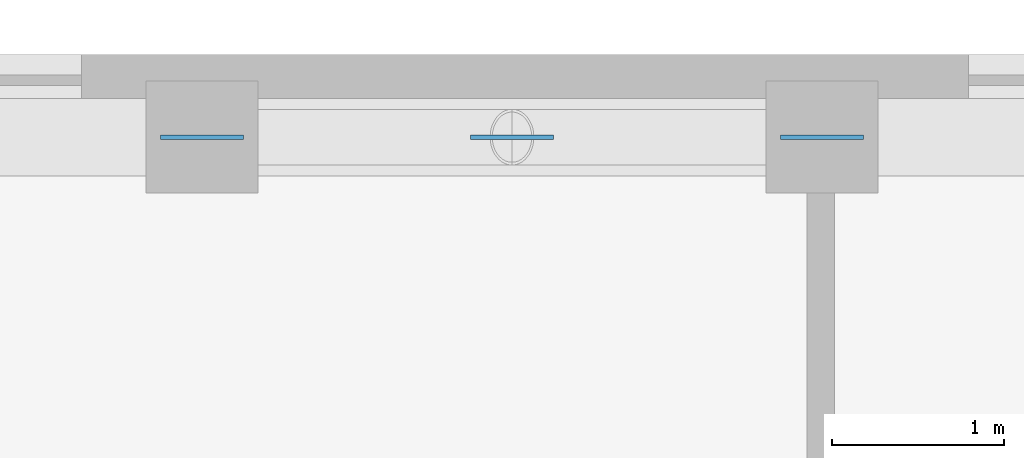
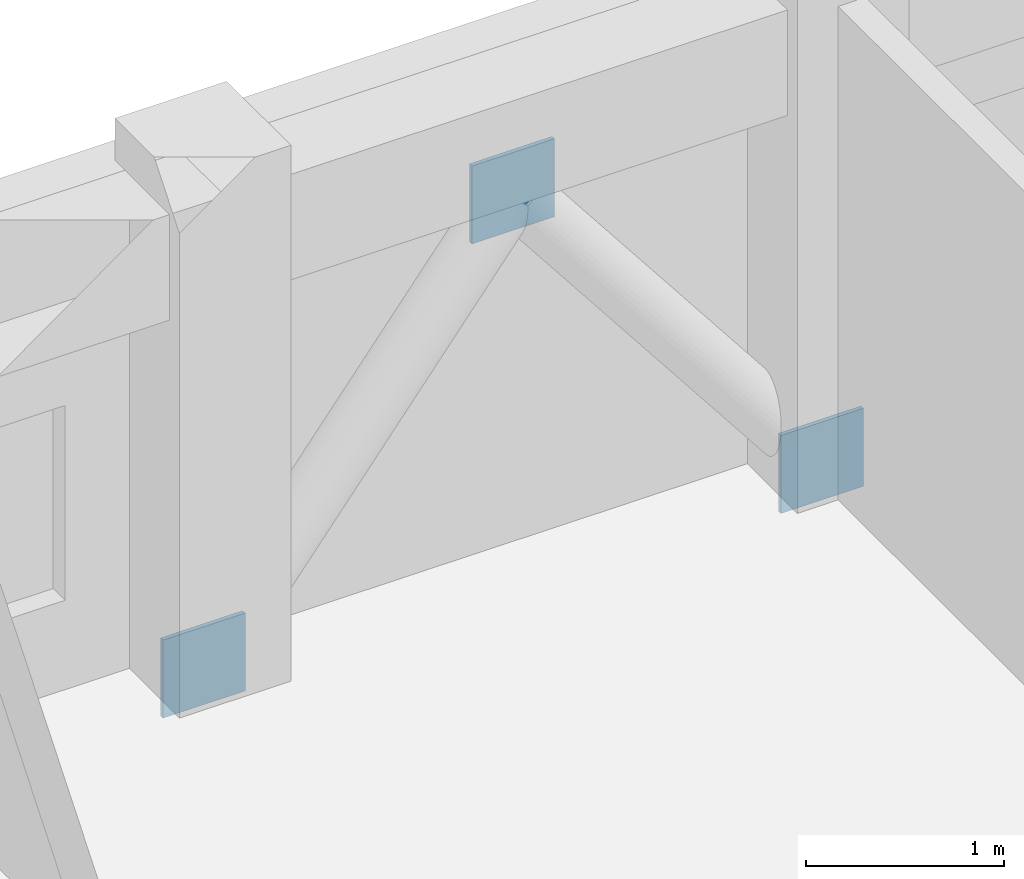
# One storey, part 9 of 11: 3 discrete accessories.
"""IFC4 building model written with IfcOpenShell, lengths in metres."""

from ifc_helpers import new_model, si_unit, derived_unit, direction, frame, origin, origin_2d, place, context, subcontext, project, spatial, rectangle, extrude, material, layer, layer_set, type_object, element, save


model = new_model("IFC4")

# Units and contexts
model_context = context("Model", 3, precision=1e-05, world=origin(), true_north=direction((0.0, 1.0)))
body_context = subcontext(model_context, "Body", "Model", "MODEL_VIEW")
ifc_project = project(units=[si_unit("LENGTHUNIT", "METRE"), si_unit("AREAUNIT", "SQUARE_METRE"), si_unit("VOLUMEUNIT", "CUBIC_METRE"), si_unit("PLANEANGLEUNIT", "RADIAN"), si_unit("MASSUNIT", "GRAM", prefix="KILO"), derived_unit("THERMALTRANSMITTANCEUNIT", [(si_unit("MASSUNIT", "GRAM", prefix="KILO"), 1), (si_unit("TIMEUNIT", "SECOND"), -3), (si_unit("THERMODYNAMICTEMPERATUREUNIT", "KELVIN"), -1)])], contexts=[model_context])

# Site, building, storey
site_placement = place(None, origin())
site = spatial("IfcSite", under=ifc_project, at=site_placement, CompositionType="ELEMENT")
building_placement = place(site_placement, origin())
building = spatial("IfcBuilding", under=site, at=building_placement, Name="Korrvale Station Residences", CompositionType="ELEMENT")
storey_placement = place(building_placement, frame((0.0, 0.0, 214.0)))
storey = spatial("IfcBuildingStorey", under=building, at=storey_placement, Name="L62", CompositionType="ELEMENT", Elevation=214.0)

# Discrete accessories
ifc_material = material(Name="Steel S355", Category="steel")
ifc_layer = layer(ifc_material, 0.02490234375, Name="Steel S355")
ifc_layer_set = layer_set([ifc_layer], Name="Steel S355")
discrete_accessory_type = type_object("IfcDiscreteAccessoryType", Name="ACC-GUSSET-25", PredefinedType="BRACKET", material=ifc_layer_set)
for number, where, z_axis, x_axis, name in (
    (1, (23.199951171875, 39.719970703125, -0.219970703125), (0.0, 0.0, 1.0), (1.0, 0.0, 0.0), "L62 N Brace End Gusset Connection A"),
    (2, (26.800048828125, 39.719970703125, -0.219970703125), (0.0, 0.0, 1.0), (1.0, 0.0, 0.0), "L62 N Brace End Gusset Connection B"),
    (3, (25.0, 39.719970703125, 2.070068359375), (0.0, 0.0, 1.0), (1.0, 0.0, 0.0), "L62 N Brace End Gusset Connection M"),
):
    element("IfcDiscreteAccessory", number, at=place(storey_placement, frame(where, z_axis=z_axis, x_axis=x_axis)), inside=storey, type_object=discrete_accessory_type, Name=name, PredefinedType="BRACKET", context=body_context, shape_type="SweptSolid", body=[
        extrude(rectangle(XDim=0.47998046875, YDim=0.02490234375, at=origin_2d()), origin(), (0.0, 0.0, 1.0), 0.47998046875),
    ])

save(model, "model.ifc")
